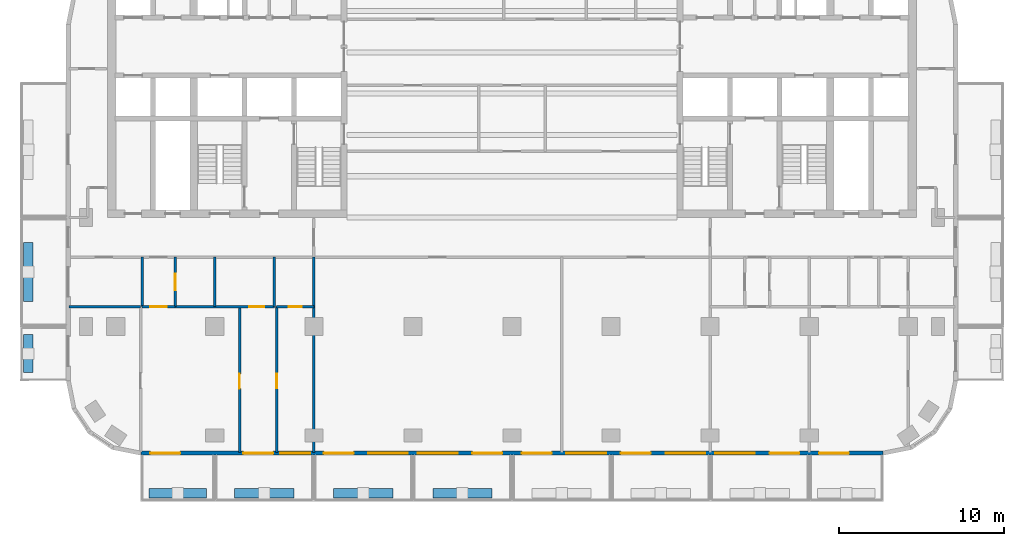
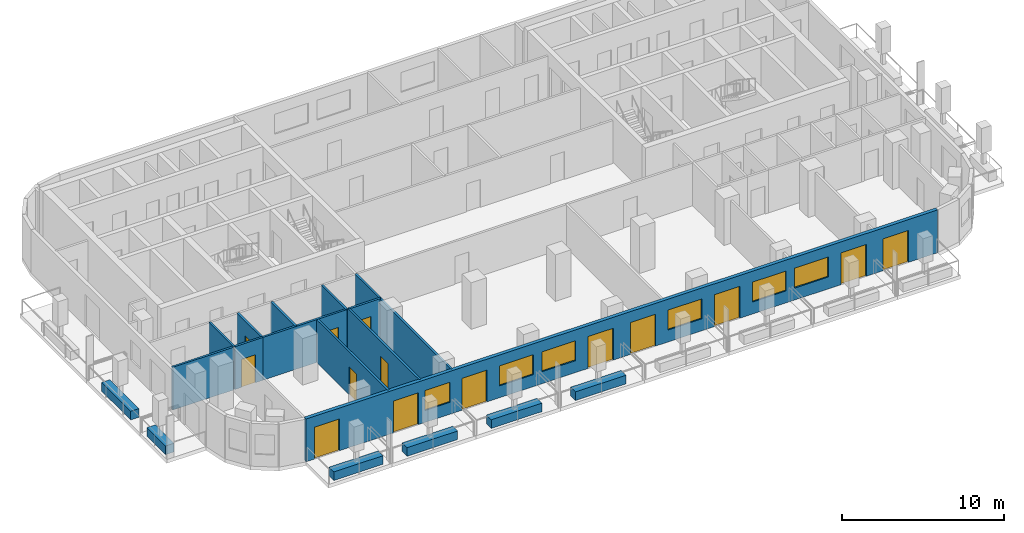
# One storey, part 2 of 11: 18 walls, 14 doors, 6 windows, 20 openings.
"""IFC4 building model written with IfcOpenShell, lengths in metres."""

from ifc_helpers import new_model, si_unit, direction, frame, frame_2d, origin, place, context, subcontext, project, spatial, rectangle, extrude, material, layer, layer_set, type_object, element, fill, save


model = new_model("IFC4")

# Units and contexts
model_context = context("Model", 3, precision=1e-05, world=origin(), true_north=direction((0.0, 1.0)))
body_context = subcontext(model_context, "Body", "Model", "MODEL_VIEW")
ifc_project = project(units=[si_unit("LENGTHUNIT", "METRE"), si_unit("AREAUNIT", "SQUARE_METRE"), si_unit("VOLUMEUNIT", "CUBIC_METRE"), si_unit("PLANEANGLEUNIT", "RADIAN"), si_unit("MASSUNIT", "GRAM", prefix="KILO")], contexts=[model_context])

# Site, building, storey
site_placement = place(None, origin())
site = spatial("IfcSite", under=ifc_project, at=site_placement, CompositionType="ELEMENT")
building_placement = place(site_placement, origin())
building = spatial("IfcBuilding", under=site, at=building_placement, Name="Torana Hotel and Residences", CompositionType="ELEMENT")
storey_placement = place(building_placement, frame((0.0, 0.0, 208.10009765625)))
storey = spatial("IfcBuildingStorey", under=building, at=storey_placement, Name="L54", CompositionType="ELEMENT", Elevation=208.10009765625)

# Wall, openings, doors, windows
ifc_material_1 = material(Name="Black aluminium composite panel", Category="aluminium")
ifc_layer_1 = layer(ifc_material_1, 0.00390625, Name="Cladding", Category="cladding")
ifc_material_2 = material(Name="Ventilated air cavity")
ifc_layer_2 = layer(ifc_material_2, 0.0400390625, Name="Ventilated cavity", Category="cavity")
ifc_material_3 = material(Name="Mineral wool insulation")
ifc_layer_3 = layer(ifc_material_3, 0.090087890625, Name="Insulation", Category="insulation")
ifc_material_4 = material(Name="Steel S280GD", Category="steel")
ifc_layer_4 = layer(ifc_material_4, 0.092041015625, Name="Steel stud frame", Category="structure")
ifc_material_5 = material(Name="Fire rated plasterboard")
ifc_layer_5 = layer(ifc_material_5, 0.011962890625, Name="Inner board", Category="finish")
ifc_layer_6 = layer(ifc_material_5, 0.011962890625, Name="Second board", Category="finish")
ifc_layer_set_1 = layer_set([ifc_layer_1, ifc_layer_2, ifc_layer_3, ifc_layer_4, ifc_layer_5, ifc_layer_6], Name="EW1 EXTERNAL WALL BLACK METAL CLAD 250")
wall_type_1 = type_object("IfcWallType", Name="EW1 EXTERNAL WALL BLACK METAL CLAD 250", PredefinedType="SOLIDWALL", material=ifc_layer_set_1)
wall_1_placement = place(storey_placement, frame((-22.475341796875, -29.27490234375, 0.0), z_axis=(0.0, 0.0, 1.0), x_axis=(1.0, 0.0, 0.0)))
wall_1 = element("IfcWall", 1, at=wall_1_placement, inside=storey, type_object=wall_type_1, Name="External wall L54 e0.14", PredefinedType="SOLIDWALL", context=body_context, shape_type="SweptSolid", body=[
    extrude(rectangle(XDim=44.95068359375, YDim=0.25, at=frame_2d((22.475341796875, 0.0))), origin(), (0.0, 0.0, 1.0), 3.219970703125),
])
opening_1_placement = place(wall_1_placement, frame((0.575439453125, 0.0, 0.0)))
opening_1 = element("IfcOpeningElement", 2, at=opening_1_placement, cuts=wall_1, Name="Opening L54-E01", PredefinedType="OPENING", context=body_context, shape_type="SweptSolid", body=[
    extrude(rectangle(XDim=1.800048828125, YDim=2.39990234375, at=frame_2d((0.89990234375, 1.199951171875))), frame((0.0, 0.135009765625, 0.0), z_axis=(0.0, -1.0, 0.0), x_axis=(1.0, 0.0, 0.0)), (0.0, 0.0, 1.0), 0.27001953125),
])
opening_2_placement = place(wall_1_placement, frame((6.200439453125, 0.0, 0.0)))
opening_2 = element("IfcOpeningElement", 3, at=opening_2_placement, cuts=wall_1, Name="Opening L54-E02", PredefinedType="OPENING", context=body_context, shape_type="SweptSolid", body=[
    extrude(rectangle(XDim=1.800048828125, YDim=2.39990234375, at=frame_2d((0.89990234375, 1.199951171875))), frame((0.0, 0.135009765625, 0.0), z_axis=(0.0, -1.0, 0.0), x_axis=(1.0, 0.0, 0.0)), (0.0, 0.0, 1.0), 0.27001953125),
])
opening_3_placement = place(wall_1_placement, frame((8.450439453125, 0.0, 0.89990234375)))
opening_3 = element("IfcOpeningElement", 4, at=opening_3_placement, cuts=wall_1, Name="Opening W4", PredefinedType="OPENING", context=body_context, shape_type="SweptSolid", body=[
    extrude(rectangle(XDim=1.800048828125, YDim=1.5, at=frame_2d((0.89990234375, 0.75))), frame((0.0, 0.135009765625, 0.0), z_axis=(0.0, -1.0, 0.0), x_axis=(1.0, 0.0, 0.0)), (0.0, 0.0, 1.0), 0.27001953125),
])
opening_4_placement = place(wall_1_placement, frame((11.075439453125, 0.0, 0.0)))
opening_4 = element("IfcOpeningElement", 5, at=opening_4_placement, cuts=wall_1, Name="Opening L54-E03", PredefinedType="OPENING", context=body_context, shape_type="SweptSolid", body=[
    extrude(rectangle(XDim=1.800048828125, YDim=2.39990234375, at=frame_2d((0.89990234375, 1.199951171875))), frame((0.0, 0.135009765625, 0.0), z_axis=(0.0, -1.0, 0.0), x_axis=(1.0, 0.0, 0.0)), (0.0, 0.0, 1.0), 0.27001953125),
])
opening_5_placement = place(wall_1_placement, frame((13.775390625, 0.0, 0.89990234375)))
opening_5 = element("IfcOpeningElement", 6, at=opening_5_placement, cuts=wall_1, Name="Opening W3", PredefinedType="OPENING", context=body_context, shape_type="SweptSolid", body=[
    extrude(rectangle(XDim=2.39990234375, YDim=1.5, at=frame_2d((1.199951171875, 0.75))), frame((0.0, 0.135009765625, 0.0), z_axis=(0.0, -1.0, 0.0), x_axis=(1.0, 0.0, 0.0)), (0.0, 0.0, 1.0), 0.27001953125),
])
opening_6_placement = place(wall_1_placement, frame((16.775390625, 0.0, 0.89990234375)))
opening_6 = element("IfcOpeningElement", 7, at=opening_6_placement, cuts=wall_1, Name="Opening W3", PredefinedType="OPENING", context=body_context, shape_type="SweptSolid", body=[
    extrude(rectangle(XDim=2.39990234375, YDim=1.5, at=frame_2d((1.199951171875, 0.75))), frame((0.0, 0.135009765625, 0.0), z_axis=(0.0, -1.0, 0.0), x_axis=(1.0, 0.0, 0.0)), (0.0, 0.0, 1.0), 0.27001953125),
])
opening_7_placement = place(wall_1_placement, frame((20.075439453125, 0.0, 0.0)))
opening_7 = element("IfcOpeningElement", 8, at=opening_7_placement, cuts=wall_1, Name="Opening L54-E04", PredefinedType="OPENING", context=body_context, shape_type="SweptSolid", body=[
    extrude(rectangle(XDim=1.800048828125, YDim=2.39990234375, at=frame_2d((0.89990234375, 1.199951171875))), frame((0.0, 0.135009765625, 0.0), z_axis=(0.0, -1.0, 0.0), x_axis=(1.0, 0.0, 0.0)), (0.0, 0.0, 1.0), 0.27001953125),
])
opening_8_placement = place(wall_1_placement, frame((23.075439453125, 0.0, 0.0)))
opening_8 = element("IfcOpeningElement", 9, at=opening_8_placement, cuts=wall_1, Name="Opening L54-E05", PredefinedType="OPENING", context=body_context, shape_type="SweptSolid", body=[
    extrude(rectangle(XDim=1.800048828125, YDim=2.39990234375, at=frame_2d((0.89990234375, 1.199951171875))), frame((0.0, 0.135009765625, 0.0), z_axis=(0.0, -1.0, 0.0), x_axis=(1.0, 0.0, 0.0)), (0.0, 0.0, 1.0), 0.27001953125),
])
opening_9_placement = place(wall_1_placement, frame((25.775390625, 0.0, 0.89990234375)))
opening_9 = element("IfcOpeningElement", 10, at=opening_9_placement, cuts=wall_1, Name="Opening W3", PredefinedType="OPENING", context=body_context, shape_type="SweptSolid", body=[
    extrude(rectangle(XDim=2.39990234375, YDim=1.5, at=frame_2d((1.199951171875, 0.75))), frame((0.0, 0.135009765625, 0.0), z_axis=(0.0, -1.0, 0.0), x_axis=(1.0, 0.0, 0.0)), (0.0, 0.0, 1.0), 0.27001953125),
])
opening_10_placement = place(wall_1_placement, frame((29.075439453125, 0.0, 0.0)))
opening_10 = element("IfcOpeningElement", 11, at=opening_10_placement, cuts=wall_1, Name="Opening L54-E06", PredefinedType="OPENING", context=body_context, shape_type="SweptSolid", body=[
    extrude(rectangle(XDim=1.800048828125, YDim=2.39990234375, at=frame_2d((0.89990234375, 1.199951171875))), frame((0.0, 0.135009765625, 0.0), z_axis=(0.0, -1.0, 0.0), x_axis=(1.0, 0.0, 0.0)), (0.0, 0.0, 1.0), 0.27001953125),
])
opening_11_placement = place(wall_1_placement, frame((31.775390625, 0.0, 0.89990234375)))
opening_11 = element("IfcOpeningElement", 12, at=opening_11_placement, cuts=wall_1, Name="Opening W3", PredefinedType="OPENING", context=body_context, shape_type="SweptSolid", body=[
    extrude(rectangle(XDim=2.39990234375, YDim=1.5, at=frame_2d((1.199951171875, 0.75))), frame((0.0, 0.135009765625, 0.0), z_axis=(0.0, -1.0, 0.0), x_axis=(1.0, 0.0, 0.0)), (0.0, 0.0, 1.0), 0.27001953125),
])
opening_12_placement = place(wall_1_placement, frame((34.775390625, 0.0, 0.89990234375)))
opening_12 = element("IfcOpeningElement", 13, at=opening_12_placement, cuts=wall_1, Name="Opening W3", PredefinedType="OPENING", context=body_context, shape_type="SweptSolid", body=[
    extrude(rectangle(XDim=2.39990234375, YDim=1.5, at=frame_2d((1.199951171875, 0.75))), frame((0.0, 0.135009765625, 0.0), z_axis=(0.0, -1.0, 0.0), x_axis=(1.0, 0.0, 0.0)), (0.0, 0.0, 1.0), 0.27001953125),
])
opening_13_placement = place(wall_1_placement, frame((38.075439453125, 0.0, 0.0)))
opening_13 = element("IfcOpeningElement", 14, at=opening_13_placement, cuts=wall_1, Name="Opening L54-E07", PredefinedType="OPENING", context=body_context, shape_type="SweptSolid", body=[
    extrude(rectangle(XDim=1.800048828125, YDim=2.39990234375, at=frame_2d((0.89990234375, 1.199951171875))), frame((0.0, 0.135009765625, 0.0), z_axis=(0.0, -1.0, 0.0), x_axis=(1.0, 0.0, 0.0)), (0.0, 0.0, 1.0), 0.27001953125),
])
opening_14_placement = place(wall_1_placement, frame((41.075439453125, 0.0, 0.0)))
opening_14 = element("IfcOpeningElement", 15, at=opening_14_placement, cuts=wall_1, Name="Opening L54-E08", PredefinedType="OPENING", context=body_context, shape_type="SweptSolid", body=[
    extrude(rectangle(XDim=1.800048828125, YDim=2.39990234375, at=frame_2d((0.89990234375, 1.199951171875))), frame((0.0, 0.135009765625, 0.0), z_axis=(0.0, -1.0, 0.0), x_axis=(1.0, 0.0, 0.0)), (0.0, 0.0, 1.0), 0.27001953125),
])
ifc_material_6 = material(Name="Dark glass in black aluminium frame", Category="aluminium")
door_type_1 = type_object("IfcDoorType", Name="DB1 BALCONY DOOR 1800x2400", OperationType="DOUBLE_DOOR_SINGLE_SWING", PredefinedType="DOOR", material=ifc_material_6)
door_1_placement = place(opening_1_placement, origin())
door_1 = element("IfcDoor", 16, at=door_1_placement, inside=storey, type_object=door_type_1, Name="Balcony door L54", OperationType="DOUBLE_DOOR_SINGLE_SWING", OverallHeight=2.39990234375, OverallWidth=1.800048828125, PredefinedType="DOOR", context=body_context, shape_type="SweptSolid", body=[
    extrude(rectangle(XDim=1.800048828125, YDim=2.39990234375, at=frame_2d((0.89990234375, 1.199951171875))), frame((0.0, 0.02490234375, 0.0), z_axis=(0.0, -1.0, 0.0), x_axis=(1.0, 0.0, 0.0)), (0.0, 0.0, 1.0), 0.050048828125),
])
fill(opening_1, door_1)
door_2_placement = place(opening_2_placement, origin())
door_2 = element("IfcDoor", 17, at=door_2_placement, inside=storey, type_object=door_type_1, Name="Balcony door L54", OperationType="DOUBLE_DOOR_SINGLE_SWING", OverallHeight=2.39990234375, OverallWidth=1.800048828125, PredefinedType="DOOR", context=body_context, shape_type="SweptSolid", body=[
    extrude(rectangle(XDim=1.800048828125, YDim=2.39990234375, at=frame_2d((0.89990234375, 1.199951171875))), frame((0.0, 0.02490234375, 0.0), z_axis=(0.0, -1.0, 0.0), x_axis=(1.0, 0.0, 0.0)), (0.0, 0.0, 1.0), 0.050048828125),
])
fill(opening_2, door_2)
door_3_placement = place(opening_4_placement, origin())
door_3 = element("IfcDoor", 18, at=door_3_placement, inside=storey, type_object=door_type_1, Name="Balcony door L54", OperationType="DOUBLE_DOOR_SINGLE_SWING", OverallHeight=2.39990234375, OverallWidth=1.800048828125, PredefinedType="DOOR", context=body_context, shape_type="SweptSolid", body=[
    extrude(rectangle(XDim=1.800048828125, YDim=2.39990234375, at=frame_2d((0.89990234375, 1.199951171875))), frame((0.0, 0.02490234375, 0.0), z_axis=(0.0, -1.0, 0.0), x_axis=(1.0, 0.0, 0.0)), (0.0, 0.0, 1.0), 0.050048828125),
])
fill(opening_4, door_3)
door_4_placement = place(opening_7_placement, origin())
door_4 = element("IfcDoor", 19, at=door_4_placement, inside=storey, type_object=door_type_1, Name="Balcony door L54", OperationType="DOUBLE_DOOR_SINGLE_SWING", OverallHeight=2.39990234375, OverallWidth=1.800048828125, PredefinedType="DOOR", context=body_context, shape_type="SweptSolid", body=[
    extrude(rectangle(XDim=1.800048828125, YDim=2.39990234375, at=frame_2d((0.89990234375, 1.199951171875))), frame((0.0, 0.02490234375, 0.0), z_axis=(0.0, -1.0, 0.0), x_axis=(1.0, 0.0, 0.0)), (0.0, 0.0, 1.0), 0.050048828125),
])
fill(opening_7, door_4)
door_5_placement = place(opening_8_placement, origin())
door_5 = element("IfcDoor", 20, at=door_5_placement, inside=storey, type_object=door_type_1, Name="Balcony door L54", OperationType="DOUBLE_DOOR_SINGLE_SWING", OverallHeight=2.39990234375, OverallWidth=1.800048828125, PredefinedType="DOOR", context=body_context, shape_type="SweptSolid", body=[
    extrude(rectangle(XDim=1.800048828125, YDim=2.39990234375, at=frame_2d((0.89990234375, 1.199951171875))), frame((0.0, 0.02490234375, 0.0), z_axis=(0.0, -1.0, 0.0), x_axis=(1.0, 0.0, 0.0)), (0.0, 0.0, 1.0), 0.050048828125),
])
fill(opening_8, door_5)
door_6_placement = place(opening_10_placement, origin())
door_6 = element("IfcDoor", 21, at=door_6_placement, inside=storey, type_object=door_type_1, Name="Balcony door L54", OperationType="DOUBLE_DOOR_SINGLE_SWING", OverallHeight=2.39990234375, OverallWidth=1.800048828125, PredefinedType="DOOR", context=body_context, shape_type="SweptSolid", body=[
    extrude(rectangle(XDim=1.800048828125, YDim=2.39990234375, at=frame_2d((0.89990234375, 1.199951171875))), frame((0.0, 0.02490234375, 0.0), z_axis=(0.0, -1.0, 0.0), x_axis=(1.0, 0.0, 0.0)), (0.0, 0.0, 1.0), 0.050048828125),
])
fill(opening_10, door_6)
door_7_placement = place(opening_13_placement, origin())
door_7 = element("IfcDoor", 22, at=door_7_placement, inside=storey, type_object=door_type_1, Name="Balcony door L54", OperationType="DOUBLE_DOOR_SINGLE_SWING", OverallHeight=2.39990234375, OverallWidth=1.800048828125, PredefinedType="DOOR", context=body_context, shape_type="SweptSolid", body=[
    extrude(rectangle(XDim=1.800048828125, YDim=2.39990234375, at=frame_2d((0.89990234375, 1.199951171875))), frame((0.0, 0.02490234375, 0.0), z_axis=(0.0, -1.0, 0.0), x_axis=(1.0, 0.0, 0.0)), (0.0, 0.0, 1.0), 0.050048828125),
])
fill(opening_13, door_7)
door_8_placement = place(opening_14_placement, origin())
door_8 = element("IfcDoor", 23, at=door_8_placement, inside=storey, type_object=door_type_1, Name="Balcony door L54", OperationType="DOUBLE_DOOR_SINGLE_SWING", OverallHeight=2.39990234375, OverallWidth=1.800048828125, PredefinedType="DOOR", context=body_context, shape_type="SweptSolid", body=[
    extrude(rectangle(XDim=1.800048828125, YDim=2.39990234375, at=frame_2d((0.89990234375, 1.199951171875))), frame((0.0, 0.02490234375, 0.0), z_axis=(0.0, -1.0, 0.0), x_axis=(1.0, 0.0, 0.0)), (0.0, 0.0, 1.0), 0.050048828125),
])
fill(opening_14, door_8)
ifc_material_7 = material(Name="Dark glass in black aluminium frame", Category="aluminium")
window_type_1 = type_object("IfcWindowType", Name="W3 RESIDENCE WINDOW 2400x1500", PartitioningType="SINGLE_PANEL", PredefinedType="WINDOW", material=ifc_material_7)
window_1_placement = place(opening_5_placement, origin())
window_1 = element("IfcWindow", 24, at=window_1_placement, inside=storey, type_object=window_type_1, Name="Window L54", OverallHeight=1.5, OverallWidth=2.39990234375, PartitioningType="SINGLE_PANEL", PredefinedType="WINDOW", context=body_context, shape_type="SweptSolid", body=[
    extrude(rectangle(XDim=2.39990234375, YDim=1.5, at=frame_2d((1.199951171875, 0.75))), frame((0.0, 0.030029296875, 0.0), z_axis=(0.0, -1.0, 0.0), x_axis=(1.0, 0.0, 0.0)), (0.0, 0.0, 1.0), 0.06005859375),
])
fill(opening_5, window_1)
window_2_placement = place(opening_6_placement, origin())
window_2 = element("IfcWindow", 25, at=window_2_placement, inside=storey, type_object=window_type_1, Name="Window L54", OverallHeight=1.5, OverallWidth=2.39990234375, PartitioningType="SINGLE_PANEL", PredefinedType="WINDOW", context=body_context, shape_type="SweptSolid", body=[
    extrude(rectangle(XDim=2.39990234375, YDim=1.5, at=frame_2d((1.199951171875, 0.75))), frame((0.0, 0.030029296875, 0.0), z_axis=(0.0, -1.0, 0.0), x_axis=(1.0, 0.0, 0.0)), (0.0, 0.0, 1.0), 0.06005859375),
])
fill(opening_6, window_2)
window_3_placement = place(opening_9_placement, origin())
window_3 = element("IfcWindow", 26, at=window_3_placement, inside=storey, type_object=window_type_1, Name="Window L54", OverallHeight=1.5, OverallWidth=2.39990234375, PartitioningType="SINGLE_PANEL", PredefinedType="WINDOW", context=body_context, shape_type="SweptSolid", body=[
    extrude(rectangle(XDim=2.39990234375, YDim=1.5, at=frame_2d((1.199951171875, 0.75))), frame((0.0, 0.030029296875, 0.0), z_axis=(0.0, -1.0, 0.0), x_axis=(1.0, 0.0, 0.0)), (0.0, 0.0, 1.0), 0.06005859375),
])
fill(opening_9, window_3)
window_4_placement = place(opening_11_placement, origin())
window_4 = element("IfcWindow", 27, at=window_4_placement, inside=storey, type_object=window_type_1, Name="Window L54", OverallHeight=1.5, OverallWidth=2.39990234375, PartitioningType="SINGLE_PANEL", PredefinedType="WINDOW", context=body_context, shape_type="SweptSolid", body=[
    extrude(rectangle(XDim=2.39990234375, YDim=1.5, at=frame_2d((1.199951171875, 0.75))), frame((0.0, 0.030029296875, 0.0), z_axis=(0.0, -1.0, 0.0), x_axis=(1.0, 0.0, 0.0)), (0.0, 0.0, 1.0), 0.06005859375),
])
fill(opening_11, window_4)
window_5_placement = place(opening_12_placement, origin())
window_5 = element("IfcWindow", 28, at=window_5_placement, inside=storey, type_object=window_type_1, Name="Window L54", OverallHeight=1.5, OverallWidth=2.39990234375, PartitioningType="SINGLE_PANEL", PredefinedType="WINDOW", context=body_context, shape_type="SweptSolid", body=[
    extrude(rectangle(XDim=2.39990234375, YDim=1.5, at=frame_2d((1.199951171875, 0.75))), frame((0.0, 0.030029296875, 0.0), z_axis=(0.0, -1.0, 0.0), x_axis=(1.0, 0.0, 0.0)), (0.0, 0.0, 1.0), 0.06005859375),
])
fill(opening_12, window_5)
ifc_material_8 = material(Name="Dark glass in black aluminium frame", Category="aluminium")
window_type_2 = type_object("IfcWindowType", Name="W4 RESIDENCE WINDOW NARROW 1800x1500", PartitioningType="SINGLE_PANEL", PredefinedType="WINDOW", material=ifc_material_8)
window_6_placement = place(opening_3_placement, origin())
window_6 = element("IfcWindow", 29, at=window_6_placement, inside=storey, type_object=window_type_2, Name="Window L54", OverallHeight=1.5, OverallWidth=1.800048828125, PartitioningType="SINGLE_PANEL", PredefinedType="WINDOW", context=body_context, shape_type="SweptSolid", body=[
    extrude(rectangle(XDim=1.800048828125, YDim=1.5, at=frame_2d((0.89990234375, 0.75))), frame((0.0, 0.030029296875, 0.0), z_axis=(0.0, -1.0, 0.0), x_axis=(1.0, 0.0, 0.0)), (0.0, 0.0, 1.0), 0.06005859375),
])
fill(opening_3, window_6)

# Wall, opening, door
ifc_material_9 = material(Name="Gypsum plaster")
ifc_layer_7 = layer(ifc_material_9, 0.014892578125, Name="Plaster", Category="finish")
ifc_material_10 = material(Name="Concrete blockwork", Category="masonry")
ifc_layer_8 = layer(ifc_material_10, 0.1201171875, Name="Blockwork", Category="structure")
ifc_layer_9 = layer(ifc_material_9, 0.014892578125, Name="Plaster", Category="finish")
ifc_layer_set_2 = layer_set([ifc_layer_7, ifc_layer_8, ifc_layer_9], Name="FIRE PARTITION 150 BLOCKWORK")
wall_type_2 = type_object("IfcWallType", Name="FIRE PARTITION 150 BLOCKWORK", PredefinedType="PARTITIONING", material=ifc_layer_set_2)
wall_2_placement = place(storey_placement, frame((-20.39990234375, -20.39990234375, 0.0), z_axis=(0.0, 0.0, 1.0), x_axis=(0.0, 1.0, 0.0)))
wall_2 = element("IfcWall", 30, at=wall_2_placement, inside=storey, type_object=wall_type_2, Name="Partition L54", PredefinedType="PARTITIONING", context=body_context, shape_type="SweptSolid", body=[
    extrude(rectangle(XDim=3.0, YDim=0.14990234375, at=frame_2d((1.5, 0.0))), origin(), (0.0, 0.0, 1.0), 3.219970703125),
])
opening_15_placement = place(wall_2_placement, frame((1.0, 0.0, 0.0)))
opening_15 = element("IfcOpeningElement", 31, at=opening_15_placement, cuts=wall_2, Name="Opening L54-55", PredefinedType="OPENING", context=body_context, shape_type="SweptSolid", body=[
    extrude(rectangle(XDim=1.0, YDim=2.10009765625, at=frame_2d((0.5, 1.050048828125))), frame((0.0, 0.0849609375, 0.0), z_axis=(0.0, -1.0, 0.0), x_axis=(1.0, 0.0, 0.0)), (0.0, 0.0, 1.0), 0.169921875),
])
ifc_material_11 = material(Name="Steel S235", Category="steel")
door_type_2 = type_object("IfcDoorType", Name="ENTRY FIRE DOOR D6 1000x2100", OperationType="SINGLE_SWING_LEFT", PredefinedType="DOOR", material=ifc_material_11)
door_9_placement = place(opening_15_placement, frame((0.5, 0.0, 0.0), z_axis=(0.0, 0.0, 1.0), x_axis=(-1.0, 0.0, 0.0)))
door_9 = element("IfcDoor", 32, at=door_9_placement, inside=storey, type_object=door_type_2, Name="Door L54", OperationType="SINGLE_SWING_LEFT", OverallHeight=2.10009765625, OverallWidth=1.0, PredefinedType="DOOR", context=body_context, shape_type="SweptSolid", body=[
    extrude(rectangle(XDim=1.0, YDim=2.10009765625, at=frame_2d((0.0, 1.050048828125))), frame((0.0, -0.02490234375, 0.0), z_axis=(0.0, 1.0, 0.0), x_axis=(-1.0, 0.0, 0.0)), (0.0, 0.0, 1.0), 0.050048828125),
])
fill(opening_15, door_9)

# Wall
wall_3_placement = place(storey_placement, frame((-22.39990234375, -20.39990234375, 0.0), z_axis=(0.0, 0.0, 1.0), x_axis=(0.0, 1.0, 0.0)))
element("IfcWall", 33, at=wall_3_placement, inside=storey, type_object=wall_type_2, Name="Partition L54", PredefinedType="PARTITIONING", context=body_context, shape_type="SweptSolid", body=[
    extrude(rectangle(XDim=3.0, YDim=0.14990234375, at=frame_2d((1.5, 0.0))), origin(), (0.0, 0.0, 1.0), 3.219970703125),
])

# Wall, opening, door
wall_4_placement = place(storey_placement, frame((-22.39990234375, -20.39990234375, 0.0), z_axis=(0.0, 0.0, 1.0), x_axis=(1.0, 0.0, 0.0)))
wall_4 = element("IfcWall", 34, at=wall_4_placement, inside=storey, type_object=wall_type_2, Name="Partition L54", PredefinedType="PARTITIONING", context=body_context, shape_type="SweptSolid", body=[
    extrude(rectangle(XDim=2.0, YDim=0.14990234375, at=frame_2d((1.0, 0.0))), origin(), (0.0, 0.0, 1.0), 3.219970703125),
])
opening_16_placement = place(wall_4_placement, frame((0.47998046875, 0.0, 0.0)))
opening_16 = element("IfcOpeningElement", 35, at=opening_16_placement, cuts=wall_4, Name="Opening L54-56", PredefinedType="OPENING", context=body_context, shape_type="SweptSolid", body=[
    extrude(rectangle(XDim=1.0, YDim=2.10009765625, at=frame_2d((0.5, 1.050048828125))), frame((0.0, 0.0849609375, 0.0), z_axis=(0.0, -1.0, 0.0), x_axis=(1.0, 0.0, 0.0)), (0.0, 0.0, 1.0), 0.169921875),
])
door_10_placement = place(opening_16_placement, frame((0.5, 0.0, 0.0), z_axis=(0.0, 0.0, 1.0), x_axis=(-1.0, 0.0, 0.0)))
door_10 = element("IfcDoor", 36, at=door_10_placement, inside=storey, type_object=door_type_2, Name="Door L54", OperationType="SINGLE_SWING_LEFT", OverallHeight=2.10009765625, OverallWidth=1.0, PredefinedType="DOOR", context=body_context, shape_type="SweptSolid", body=[
    extrude(rectangle(XDim=1.0, YDim=2.10009765625, at=frame_2d((0.0, 1.050048828125))), frame((0.0, -0.02490234375, 0.0), z_axis=(0.0, 1.0, 0.0), x_axis=(-1.0, 0.0, 0.0)), (0.0, 0.0, 1.0), 0.050048828125),
])
fill(opening_16, door_10)

# Wall
ifc_material_12 = material(Name="Gypsum plasterboard")
ifc_layer_10 = layer(ifc_material_12, 0.012451171875, Name="Plasterboard", Category="finish")
ifc_layer_11 = layer(ifc_material_12, 0.012451171875, Name="Plasterboard", Category="finish")
ifc_layer_12 = layer(ifc_material_4, 0.10009765625, Name="Steel studs with mineral wool", Category="insulation")
ifc_layer_13 = layer(ifc_material_12, 0.012451171875, Name="Plasterboard", Category="finish")
ifc_layer_14 = layer(ifc_material_12, 0.012451171875, Name="Plasterboard", Category="finish")
ifc_layer_set_3 = layer_set([ifc_layer_10, ifc_layer_11, ifc_layer_12, ifc_layer_13, ifc_layer_14], Name="PARTITION 150 PLASTERBOARD")
wall_type_3 = type_object("IfcWallType", Name="PARTITION 150 PLASTERBOARD", PredefinedType="PARTITIONING", material=ifc_layer_set_3)
wall_5_placement = place(storey_placement, frame((-12.0, -29.219970703125, 0.0), z_axis=(0.0, 0.0, 1.0), x_axis=(0.0, 1.0, 0.0)))
element("IfcWall", 37, at=wall_5_placement, inside=storey, type_object=wall_type_3, Name="Partition L54", PredefinedType="PARTITIONING", context=body_context, shape_type="SweptSolid", body=[
    extrude(rectangle(XDim=11.820068359375, YDim=0.14990234375, at=frame_2d((5.91015625, 0.0))), origin(), (0.0, 0.0, 1.0), 3.219970703125),
])

# Wall, opening, door
wall_6_placement = place(storey_placement, frame((-14.25, -29.219970703125, 0.0), z_axis=(0.0, 0.0, 1.0), x_axis=(0.0, 1.0, 0.0)))
wall_6 = element("IfcWall", 38, at=wall_6_placement, inside=storey, type_object=wall_type_3, Name="Partition L54", PredefinedType="PARTITIONING", context=body_context, shape_type="SweptSolid", body=[
    extrude(rectangle(XDim=8.820068359375, YDim=0.14990234375, at=frame_2d((4.41015625, 0.0))), origin(), (0.0, 0.0, 1.0), 3.219970703125),
])
opening_17_placement = place(wall_6_placement, frame((3.8701171875, 0.0, 0.0)))
opening_17 = element("IfcOpeningElement", 39, at=opening_17_placement, cuts=wall_6, Name="Opening L54-59", PredefinedType="OPENING", context=body_context, shape_type="SweptSolid", body=[
    extrude(rectangle(XDim=0.89990234375, YDim=2.10009765625, at=frame_2d((0.449951171875, 1.050048828125))), frame((0.0, 0.0849609375, 0.0), z_axis=(0.0, -1.0, 0.0), x_axis=(1.0, 0.0, 0.0)), (0.0, 0.0, 1.0), 0.169921875),
])
ifc_material_13 = material(Name="Timber door, oiled ash", Category="wood")
door_type_3 = type_object("IfcDoorType", Name="ROOM DOOR D7 900x2100", OperationType="SINGLE_SWING_LEFT", PredefinedType="DOOR", material=ifc_material_13)
door_11_placement = place(opening_17_placement, origin())
door_11 = element("IfcDoor", 40, at=door_11_placement, inside=storey, type_object=door_type_3, Name="Door L54", OperationType="SINGLE_SWING_RIGHT", OverallHeight=2.10009765625, OverallWidth=0.89990234375, PredefinedType="DOOR", context=body_context, shape_type="SweptSolid", body=[
    extrude(rectangle(XDim=0.89990234375, YDim=2.10009765625, at=frame_2d((0.449951171875, 1.050048828125))), frame((0.0, 0.02490234375, 0.0), z_axis=(0.0, -1.0, 0.0), x_axis=(1.0, 0.0, 0.0)), (0.0, 0.0, 1.0), 0.050048828125),
])
fill(opening_17, door_11)

# Wall
wall_7_placement = place(storey_placement, frame((-14.39990234375, -20.39990234375, 0.0), z_axis=(0.0, 0.0, 1.0), x_axis=(0.0, 1.0, 0.0)))
element("IfcWall", 41, at=wall_7_placement, inside=storey, type_object=wall_type_3, Name="Partition L54", PredefinedType="PARTITIONING", context=body_context, shape_type="SweptSolid", body=[
    extrude(rectangle(XDim=3.0, YDim=0.14990234375, at=frame_2d((1.5, 0.0))), origin(), (0.0, 0.0, 1.0), 3.219970703125),
])

# Wall, opening, door
wall_8_placement = place(storey_placement, frame((-16.5, -29.219970703125, 0.0), z_axis=(0.0, 0.0, 1.0), x_axis=(0.0, 1.0, 0.0)))
wall_8 = element("IfcWall", 42, at=wall_8_placement, inside=storey, type_object=wall_type_3, Name="Partition L54", PredefinedType="PARTITIONING", context=body_context, shape_type="SweptSolid", body=[
    extrude(rectangle(XDim=8.820068359375, YDim=0.14990234375, at=frame_2d((4.41015625, 0.0))), origin(), (0.0, 0.0, 1.0), 3.219970703125),
])
opening_18_placement = place(wall_8_placement, frame((3.85009765625, 0.0, 0.0)))
opening_18 = element("IfcOpeningElement", 43, at=opening_18_placement, cuts=wall_8, Name="Opening L54-57", PredefinedType="OPENING", context=body_context, shape_type="SweptSolid", body=[
    extrude(rectangle(XDim=0.89990234375, YDim=2.10009765625, at=frame_2d((0.449951171875, 1.050048828125))), frame((0.0, 0.0849609375, 0.0), z_axis=(0.0, -1.0, 0.0), x_axis=(1.0, 0.0, 0.0)), (0.0, 0.0, 1.0), 0.169921875),
])
door_12_placement = place(opening_18_placement, origin())
door_12 = element("IfcDoor", 44, at=door_12_placement, inside=storey, type_object=door_type_3, Name="Door L54", OperationType="SINGLE_SWING_RIGHT", OverallHeight=2.10009765625, OverallWidth=0.89990234375, PredefinedType="DOOR", context=body_context, shape_type="SweptSolid", body=[
    extrude(rectangle(XDim=0.89990234375, YDim=2.10009765625, at=frame_2d((0.449951171875, 1.050048828125))), frame((0.0, 0.02490234375, 0.0), z_axis=(0.0, -1.0, 0.0), x_axis=(1.0, 0.0, 0.0)), (0.0, 0.0, 1.0), 0.050048828125),
])
fill(opening_18, door_12)

# Walls
wall_9_placement = place(storey_placement, frame((-18.0, -20.39990234375, 0.0), z_axis=(0.0, 0.0, 1.0), x_axis=(0.0, 1.0, 0.0)))
element("IfcWall", 45, at=wall_9_placement, inside=storey, type_object=wall_type_3, Name="Partition L54", PredefinedType="PARTITIONING", context=body_context, shape_type="SweptSolid", body=[
    extrude(rectangle(XDim=3.0, YDim=0.14990234375, at=frame_2d((1.5, 0.0))), origin(), (0.0, 0.0, 1.0), 3.219970703125),
])
wall_10_placement = place(storey_placement, frame((-26.820068359375, -20.39990234375, 0.0), z_axis=(0.0, 0.0, 1.0), x_axis=(1.0, 0.0, 0.0)))
element("IfcWall", 46, at=wall_10_placement, inside=storey, type_object=wall_type_3, Name="Partition L54", PredefinedType="PARTITIONING", context=body_context, shape_type="SweptSolid", body=[
    extrude(rectangle(XDim=4.320068359375, YDim=0.14990234375, at=frame_2d((2.16015625, 0.0))), origin(), (0.0, 0.0, 1.0), 3.219970703125),
])

# Wall, opening, door
wall_11_placement = place(storey_placement, frame((-20.39990234375, -20.39990234375, 0.0), z_axis=(0.0, 0.0, 1.0), x_axis=(1.0, 0.0, 0.0)))
wall_11 = element("IfcWall", 47, at=wall_11_placement, inside=storey, type_object=wall_type_3, Name="Partition L54", PredefinedType="PARTITIONING", context=body_context, shape_type="SweptSolid", body=[
    extrude(rectangle(XDim=6.0, YDim=0.14990234375, at=frame_2d((3.0, 0.0))), origin(), (0.0, 0.0, 1.0), 3.219970703125),
])
opening_19_placement = place(wall_11_placement, frame((4.47998046875, 0.0, 0.0)))
opening_19 = element("IfcOpeningElement", 48, at=opening_19_placement, cuts=wall_11, Name="Opening L54-54", PredefinedType="OPENING", context=body_context, shape_type="SweptSolid", body=[
    extrude(rectangle(XDim=0.89990234375, YDim=2.10009765625, at=frame_2d((0.449951171875, 1.050048828125))), frame((0.0, 0.0849609375, 0.0), z_axis=(0.0, -1.0, 0.0), x_axis=(1.0, 0.0, 0.0)), (0.0, 0.0, 1.0), 0.169921875),
])
door_13_placement = place(opening_19_placement, origin())
door_13 = element("IfcDoor", 49, at=door_13_placement, inside=storey, type_object=door_type_3, Name="Door L54", OperationType="SINGLE_SWING_LEFT", OverallHeight=2.10009765625, OverallWidth=0.89990234375, PredefinedType="DOOR", context=body_context, shape_type="SweptSolid", body=[
    extrude(rectangle(XDim=0.89990234375, YDim=2.10009765625, at=frame_2d((0.449951171875, 1.050048828125))), frame((0.0, 0.02490234375, 0.0), z_axis=(0.0, -1.0, 0.0), x_axis=(1.0, 0.0, 0.0)), (0.0, 0.0, 1.0), 0.050048828125),
])
fill(opening_19, door_13)

wall_12_placement = place(storey_placement, frame((-14.25, -20.39990234375, 0.0), z_axis=(0.0, 0.0, 1.0), x_axis=(1.0, 0.0, 0.0)))
wall_12 = element("IfcWall", 50, at=wall_12_placement, inside=storey, type_object=wall_type_3, Name="Partition L54", PredefinedType="PARTITIONING", context=body_context, shape_type="SweptSolid", body=[
    extrude(rectangle(XDim=2.25, YDim=0.14990234375, at=frame_2d((1.125, 0.0))), origin(), (0.0, 0.0, 1.0), 3.219970703125),
])
opening_20_placement = place(wall_12_placement, frame((0.72998046875, 0.0, 0.0)))
opening_20 = element("IfcOpeningElement", 51, at=opening_20_placement, cuts=wall_12, Name="Opening L54-53", PredefinedType="OPENING", context=body_context, shape_type="SweptSolid", body=[
    extrude(rectangle(XDim=0.800048828125, YDim=2.10009765625, at=frame_2d((0.39990234375, 1.050048828125))), frame((0.0, 0.0849609375, 0.0), z_axis=(0.0, -1.0, 0.0), x_axis=(1.0, 0.0, 0.0)), (0.0, 0.0, 1.0), 0.169921875),
])
ifc_material_14 = material(Name="Timber door, painted", Category="wood")
door_type_4 = type_object("IfcDoorType", Name="BATH DOOR D13 800x2100", OperationType="SINGLE_SWING_LEFT", PredefinedType="DOOR", material=ifc_material_14)
door_14_placement = place(opening_20_placement, origin())
door_14 = element("IfcDoor", 52, at=door_14_placement, inside=storey, type_object=door_type_4, Name="Door L54", OperationType="SINGLE_SWING_LEFT", OverallHeight=2.10009765625, OverallWidth=0.800048828125, PredefinedType="DOOR", context=body_context, shape_type="SweptSolid", body=[
    extrude(rectangle(XDim=0.800048828125, YDim=2.10009765625, at=frame_2d((0.39990234375, 1.050048828125))), frame((0.0, 0.02490234375, 0.0), z_axis=(0.0, -1.0, 0.0), x_axis=(1.0, 0.0, 0.0)), (0.0, 0.0, 1.0), 0.050048828125),
])
fill(opening_20, door_14)

# Walls
ifc_material_15 = material(Name="Concrete C40/50 precast", Category="concrete")
ifc_layer_15 = layer(ifc_material_15, 0.10009765625, Name="Planter shell", Category="structure")
ifc_material_16 = material(Name="Root resistant membrane")
ifc_layer_16 = layer(ifc_material_16, 0.00390625, Name="Waterproofing membrane", Category="membrane")
ifc_material_17 = material(Name="Drainage board with filter fleece")
ifc_layer_17 = layer(ifc_material_17, 0.02001953125, Name="Drainage board", Category="drainage")
ifc_material_18 = material(Name="Growing medium")
ifc_layer_18 = layer(ifc_material_18, 0.47607421875, Name="Planting substrate", Category="soil")
ifc_layer_set_4 = layer_set([ifc_layer_15, ifc_layer_16, ifc_layer_17, ifc_layer_18], Name="PL1 BALCONY PLANTER 600")
wall_type_4 = type_object("IfcWallType", Name="PL1 BALCONY PLANTER 600", PredefinedType="USERDEFINED", material=ifc_layer_set_4)
wall_13_placement = place(storey_placement, frame((-18.5, -31.699951171875, 0.0), z_axis=(0.0, 0.0, 1.0), x_axis=(-1.0, 0.0, 0.0)))
element("IfcWall", 53, at=wall_13_placement, inside=storey, type_object=wall_type_4, Name="Planter 01", ObjectType="PLANTER", PredefinedType="USERDEFINED", context=body_context, shape_type="SweptSolid", body=[
    extrude(rectangle(XDim=3.5, YDim=0.60009765625, at=frame_2d((1.75, 0.0))), origin(), (0.0, 0.0, 1.0), 0.64990234375),
])
for number, where, z_axis, x_axis, name in (
    (54, (-13.199951171875, -31.699951171875, 0.0), (0.0, 0.0, 1.0), (-1.0, 0.0, 0.0), "Planter 02"),
    (55, (-7.199951171875, -31.699951171875, 0.0), (0.0, 0.0, 1.0), (-1.0, 0.0, 0.0), "Planter 03"),
    (56, (-1.199951171875, -31.699951171875, 0.0), (0.0, 0.0, 1.0), (-1.0, 0.0, 0.0), "Planter 04"),
):
    element("IfcWall", number, at=place(storey_placement, frame(where, z_axis=z_axis, x_axis=x_axis)), inside=storey, type_object=wall_type_4, Name=name, ObjectType="PLANTER", PredefinedType="USERDEFINED", context=body_context, shape_type="SweptSolid", body=[
        extrude(rectangle(XDim=3.60009765625, YDim=0.60009765625, at=frame_2d((1.800048828125, 0.0))), origin(), (0.0, 0.0, 1.0), 0.64990234375),
    ])
wall_14_placement = place(storey_placement, frame((-29.300048828125, -24.39990234375, 0.0), z_axis=(0.0, 0.0, 1.0), x_axis=(0.0, 1.0, 0.0)))
element("IfcWall", 57, at=wall_14_placement, inside=storey, type_object=wall_type_4, Name="Planter 09", ObjectType="PLANTER", PredefinedType="USERDEFINED", context=body_context, shape_type="SweptSolid", body=[
    extrude(rectangle(XDim=2.2998046875, YDim=0.60009765625, at=frame_2d((1.14990234375, 0.0))), origin(), (0.0, 0.0, 1.0), 0.64990234375),
])
wall_15_placement = place(storey_placement, frame((-29.300048828125, -20.10009765625, 0.0), z_axis=(0.0, 0.0, 1.0), x_axis=(0.0, 1.0, 0.0)))
element("IfcWall", 58, at=wall_15_placement, inside=storey, type_object=wall_type_4, Name="Planter 10", ObjectType="PLANTER", PredefinedType="USERDEFINED", context=body_context, shape_type="SweptSolid", body=[
    extrude(rectangle(XDim=3.60009765625, YDim=0.60009765625, at=frame_2d((1.800048828125, 0.0))), origin(), (0.0, 0.0, 1.0), 0.64990234375),
])

save(model, "model.ifc")
